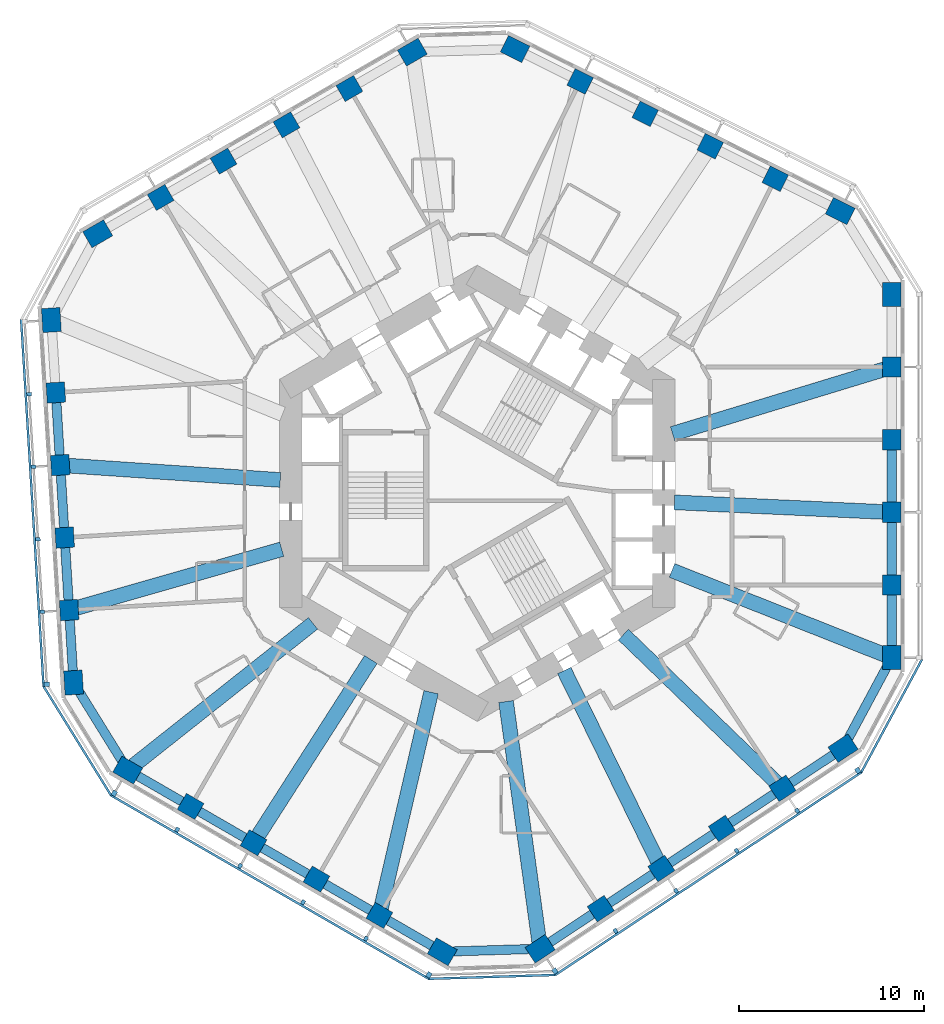
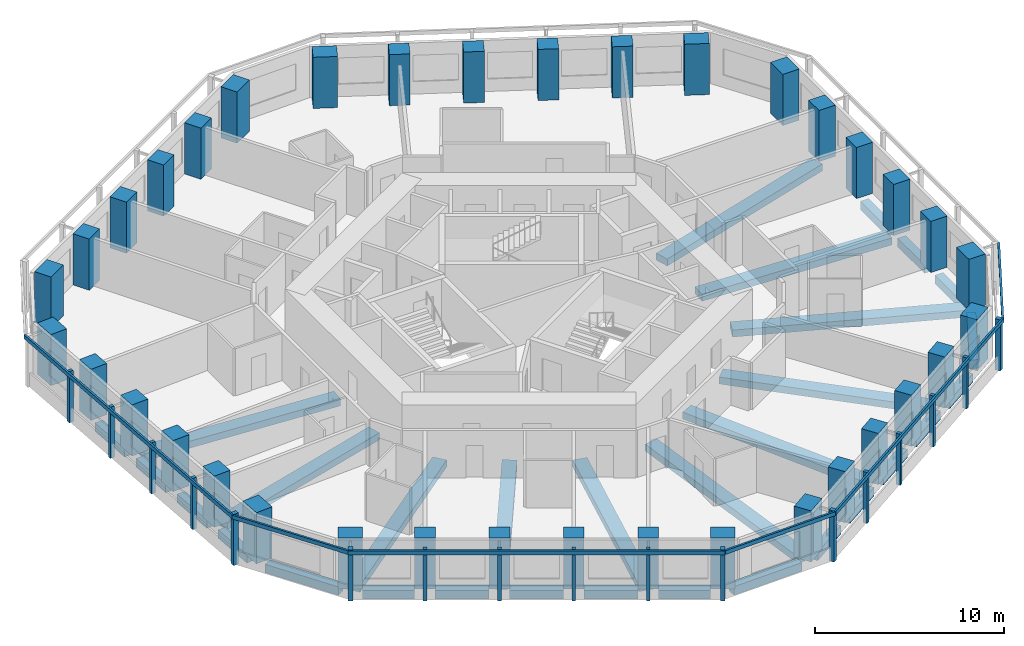
# One storey, part 1 of 11: 36 columns, 31 beams, 23 members, 6 elements without a shape of their own.
"""IFC4 building model written with IfcOpenShell, lengths in metres."""

from ifc_helpers import new_model, si_unit, direction, frame, origin, origin_2d, place, context, subcontext, project, spatial, rectangle, extrude, material, material_profile, profile_set, type_object, element, aggregate, save


model = new_model("IFC4")

# Units and contexts
model_context = context("Model", 3, precision=1e-05, world=origin(), true_north=direction((0.0, 1.0)))
body_context = subcontext(model_context, "Body", "Model", "MODEL_VIEW")
ifc_project = project(units=[si_unit("LENGTHUNIT", "METRE"), si_unit("AREAUNIT", "SQUARE_METRE"), si_unit("VOLUMEUNIT", "CUBIC_METRE"), si_unit("PLANEANGLEUNIT", "RADIAN"), si_unit("MASSUNIT", "GRAM", prefix="KILO")], contexts=[model_context])

# Site, building, storey
site_placement = place(None, origin())
site = spatial("IfcSite", under=ifc_project, at=site_placement, CompositionType="ELEMENT")
building_placement = place(site_placement, origin())
building = spatial("IfcBuilding", under=site, at=building_placement, Name="Vanh Sen Convention Tower", CompositionType="ELEMENT")
storey_placement = place(building_placement, frame((0.0, 0.0, 96.800048828125)))
storey = spatial("IfcBuildingStorey", under=building, at=storey_placement, Name="L22", CompositionType="ELEMENT", Elevation=96.800048828125)

# Columns
ifc_material_1 = material(Name="Concrete C80/95", Category="concrete")
ifc_material_profile_1 = material_profile(ifc_material_1, rectangle(XDim=1.10009765625, YDim=1.0, at=origin_2d()), Name="RC 1100X1000")
ifc_profile_set_1 = profile_set([ifc_material_profile_1], Name="Concrete C80/95")
column_type_1 = type_object("IfcColumnType", Name="Facade column 1100 x 1000 C80/95", PredefinedType="COLUMN", material=ifc_profile_set_1)
for number, where, z_axis, x_axis, name in (
    (1, (22.449951171875, -4.964599609375, 0.0), (0.0, 0.0, 1.0), (0.0, 1.0, 0.0), "Facade column 02 L22"),
    (2, (22.449951171875, -1.030029296875, 0.0), (0.0, 0.0, 1.0), (0.0, 1.0, 0.0), "Facade column 03 L22"),
    (3, (22.449951171875, 2.904541015625, 0.0), (0.0, 0.0, 1.0), (0.0, 1.0, 0.0), "Facade column 04 L22"),
    (4, (22.449951171875, 6.839111328125, 0.0), (0.0, 0.0, 1.0), (0.0, 1.0, 0.0), "Facade column 05 L22"),
    (5, (16.1376953125, 17.039794921875, 0.0), (0.0, 0.0, 1.0), (-0.894934361602, 0.44619781311, 0.0), "Facade column 08 L22"),
    (6, (12.616455078125, 18.79541015625, 0.0), (0.0, 0.0, 1.0), (-0.894934361602, 0.44619781311, 0.0), "Facade column 09 L22"),
    (7, (9.09521484375, 20.55078125, 0.0), (0.0, 0.0, 1.0), (-0.894934361602, 0.44619781311, 0.0), "Facade column 10 L22"),
    (8, (5.57421875, 22.306396484375, 0.0), (0.0, 0.0, 1.0), (-0.894934361602, 0.44619781311, 0.0), "Facade column 11 L22"),
    (9, (-6.925537109375, 21.924560546875, 0.0), (0.0, 0.0, 1.0), (-0.866025403784, -0.5, 0.0), "Facade column 14 L22"),
    (10, (-10.3330078125, 19.957275390625, 0.0), (0.0, 0.0, 1.0), (-0.866025403784, -0.5, 0.0), "Facade column 15 L22"),
    (11, (-13.740478515625, 17.989990234375, 0.0), (0.0, 0.0, 1.0), (-0.866025403784, -0.5, 0.0), "Facade column 16 L22"),
    (12, (-17.14794921875, 16.022705078125, 0.0), (0.0, 0.0, 1.0), (-0.866025403784, -0.5, 0.0), "Facade column 17 L22"),
    (13, (-22.82568359375, 5.455810546875, 0.0), (0.0, 0.0, 1.0), (0.061048539535, -0.998134798422, 0.0), "Facade column 20 L22"),
    (14, (-22.58544921875, 1.528564453125, 0.0), (0.0, 0.0, 1.0), (0.061048539535, -0.998134798422, 0.0), "Facade column 21 L22"),
    (15, (-22.34521484375, -2.398681640625, 0.0), (0.0, 0.0, 1.0), (0.061048539535, -0.998134798422, 0.0), "Facade column 22 L22"),
    (16, (-22.10498046875, -6.325927734375, 0.0), (0.0, 0.0, 1.0), (0.061048539535, -0.998134798422, 0.0), "Facade column 23 L22"),
    (17, (-15.5244140625, -16.9599609375, 0.0), (0.0, 0.0, 1.0), (0.866025403784, -0.5, 0.0), "Facade column 26 L22"),
    (18, (-12.1171875, -18.92724609375, 0.0), (0.0, 0.0, 1.0), (0.866025403784, -0.5, 0.0), "Facade column 27 L22"),
    (19, (-8.709716796875, -20.89453125, 0.0), (0.0, 0.0, 1.0), (0.866025403784, -0.5, 0.0), "Facade column 28 L22"),
    (20, (-5.302001953125, -22.86181640625, 0.0), (0.0, 0.0, 1.0), (0.866025403784, -0.5, 0.0), "Facade column 29 L22"),
    (21, (6.68798828125, -22.49560546875, 0.0), (0.0, 0.0, 1.0), (0.833885822067, 0.551936985312, 0.0), "Facade column 32 L22"),
    (22, (9.968994140625, -20.323974609375, 0.0), (0.0, 0.0, 1.0), (0.833885822067, 0.551936985312, 0.0), "Facade column 33 L22"),
    (23, (13.25, -18.152099609375, 0.0), (0.0, 0.0, 1.0), (0.833885822067, 0.551936985312, 0.0), "Facade column 34 L22"),
    (24, (16.531005859375, -15.980712890625, 0.0), (0.0, 0.0, 1.0), (0.833885822067, 0.551936985312, 0.0), "Facade column 35 L22"),
):
    element("IfcColumn", number, at=place(storey_placement, frame(where, z_axis=z_axis, x_axis=x_axis)), inside=storey, type_object=column_type_1, Name=name, PredefinedType="COLUMN", context=body_context, shape_type="SweptSolid", body=[
        extrude(rectangle(XDim=1.10009765625, YDim=1.0, at=origin_2d()), origin(), (0.0, 0.0, 1.0), 3.300048828125),
    ])
ifc_material_profile_2 = material_profile(ifc_material_1, rectangle(XDim=1.300048828125, YDim=1.0, at=origin_2d()), Name="RC 1300X1000")
ifc_profile_set_2 = profile_set([ifc_material_profile_2], Name="Concrete C80/95")
column_type_2 = type_object("IfcColumnType", Name="Facade corner column 1300 x 1000 C80/95", PredefinedType="COLUMN", material=ifc_profile_set_2)
for number, where, z_axis, x_axis, name in (
    (25, (22.449951171875, -8.899169921875, 0.0), (0.0, 0.0, 1.0), (0.0, 1.0, 0.0), "Facade column 01 L22"),
    (26, (22.449951171875, 10.773681640625, 0.0), (0.0, 0.0, 1.0), (0.0, 1.0, 0.0), "Facade column 06 L22"),
    (27, (19.658935546875, 15.2841796875, 0.0), (0.0, 0.0, 1.0), (-0.894934361602, 0.44619781311, 0.0), "Facade column 07 L22"),
    (28, (2.052978515625, 24.06201171875, 0.0), (0.0, 0.0, 1.0), (-0.894934361602, 0.44619781311, 0.0), "Facade column 12 L22"),
    (29, (-3.51806640625, 23.891845703125, 0.0), (0.0, 0.0, 1.0), (-0.866025403784, -0.5, 0.0), "Facade column 13 L22"),
    (30, (-20.555419921875, 14.055419921875, 0.0), (0.0, 0.0, 1.0), (-0.866025403784, -0.5, 0.0), "Facade column 18 L22"),
    (31, (-23.06591796875, 9.383056640625, 0.0), (0.0, 0.0, 1.0), (0.061048539535, -0.998134798422, 0.0), "Facade column 19 L22"),
    (32, (-21.86474609375, -10.253173828125, 0.0), (0.0, 0.0, 1.0), (0.061048539535, -0.998134798422, 0.0), "Facade column 24 L22"),
    (33, (-18.931884765625, -14.99267578125, 0.0), (0.0, 0.0, 1.0), (0.866025403784, -0.5, 0.0), "Facade column 25 L22"),
    (34, (-1.894775390625, -24.8291015625, 0.0), (0.0, 0.0, 1.0), (0.866025403784, -0.5, 0.0), "Facade column 30 L22"),
    (35, (3.406982421875, -24.6669921875, 0.0), (0.0, 0.0, 1.0), (0.833885822067, 0.551936985312, 0.0), "Facade column 31 L22"),
    (36, (19.81201171875, -13.808837890625, 0.0), (0.0, 0.0, 1.0), (0.833885822067, 0.551936985312, 0.0), "Facade column 36 L22"),
):
    element("IfcColumn", number, at=place(storey_placement, frame(where, z_axis=z_axis, x_axis=x_axis)), inside=storey, type_object=column_type_2, Name=name, PredefinedType="COLUMN", context=body_context, shape_type="SweptSolid", body=[
        extrude(rectangle(XDim=1.300048828125, YDim=1.0, at=origin_2d()), origin(), (0.0, 0.0, 1.0), 3.300048828125),
    ])

# Curtain wall, member
ifc_material_2 = material(Name="Concrete C50/60", Category="concrete")
curtain_wall_type = type_object("IfcCurtainWallType", Name="Outer skin hotel zone", PredefinedType="NOTDEFINED", material=ifc_material_2)
curtain_wall_1_placement = place(storey_placement, origin())
curtain_wall_1 = element("IfcCurtainWall", 37, at=curtain_wall_1_placement, inside=storey, type_object=curtain_wall_type, Name="OUTER SKIN W L22", PredefinedType="NOTDEFINED")
ifc_material_profile_3 = material_profile(ifc_material_2, rectangle(XDim=0.25, YDim=0.300048828125, at=origin_2d()), Name="Outer skin precast corner fin 250 x 300")
ifc_profile_set_3 = profile_set([ifc_material_profile_3], Name="Concrete C50/60")
member_type_1 = type_object("IfcMemberType", Name="Outer skin precast corner fin 250 x 300", PredefinedType="MULLION", material=ifc_profile_set_3)
member_1_placement = place(storey_placement, frame((-23.31201171875, -10.341796875, 0.0), z_axis=(0.0, 0.0, 1.0), x_axis=(0.061048539535, -0.998134798422, 0.0)))
member_1 = element("IfcMember", 38, at=member_1_placement, type_object=member_type_1, Name="OUTER SKIN CORNER FIN 6 W L22", PredefinedType="MULLION", context=body_context, shape_type="SweptSolid", body=[
    extrude(rectangle(XDim=0.25, YDim=0.300048828125, at=origin_2d()), origin(), (0.0, 0.0, 1.0), 3.300048828125),
])

# Curtain wall, members
curtain_wall_2_placement = place(storey_placement, origin())
curtain_wall_2 = element("IfcCurtainWall", 39, at=curtain_wall_2_placement, inside=storey, type_object=curtain_wall_type, Name="OUTER SKIN SW L22", PredefinedType="NOTDEFINED")
member_2_placement = place(storey_placement, frame((-19.656982421875, -16.248291015625, 0.0), z_axis=(0.0, 0.0, 1.0), x_axis=(0.866025403784, -0.5, 0.0)))
member_2 = element("IfcMember", 40, at=member_2_placement, type_object=member_type_1, Name="OUTER SKIN CORNER FIN 1 SW L22", PredefinedType="MULLION", context=body_context, shape_type="SweptSolid", body=[
    extrude(rectangle(XDim=0.25, YDim=0.300048828125, at=origin_2d()), origin(), (0.0, 0.0, 1.0), 3.300048828125),
])
member_3_placement = place(storey_placement, frame((-2.61962890625, -26.084716796875, 0.0), z_axis=(0.0, 0.0, 1.0), x_axis=(0.866025403784, -0.5, 0.0)))
member_3 = element("IfcMember", 41, at=member_3_placement, type_object=member_type_1, Name="OUTER SKIN CORNER FIN 6 SW L22", PredefinedType="MULLION", context=body_context, shape_type="SweptSolid", body=[
    extrude(rectangle(XDim=0.25, YDim=0.300048828125, at=origin_2d()), origin(), (0.0, 0.0, 1.0), 3.300048828125),
])

curtain_wall_3_placement = place(storey_placement, origin())
curtain_wall_3 = element("IfcCurtainWall", 42, at=curtain_wall_3_placement, inside=storey, type_object=curtain_wall_type, Name="OUTER SKIN SE L22", PredefinedType="NOTDEFINED")
member_4_placement = place(storey_placement, frame((4.207275390625, -25.876220703125, 0.0), z_axis=(0.0, 0.0, 1.0), x_axis=(0.833885822067, 0.551936985312, 0.0)))
member_4 = element("IfcMember", 43, at=member_4_placement, type_object=member_type_1, Name="OUTER SKIN CORNER FIN 1 SE L22", PredefinedType="MULLION", context=body_context, shape_type="SweptSolid", body=[
    extrude(rectangle(XDim=0.25, YDim=0.300048828125, at=origin_2d()), origin(), (0.0, 0.0, 1.0), 3.300048828125),
])
member_5_placement = place(storey_placement, frame((20.6123046875, -15.01806640625, 0.0), z_axis=(0.0, 0.0, 1.0), x_axis=(0.833885822067, 0.551936985312, 0.0)))
member_5 = element("IfcMember", 44, at=member_5_placement, type_object=member_type_1, Name="OUTER SKIN CORNER FIN 6 SE L22", PredefinedType="MULLION", context=body_context, shape_type="SweptSolid", body=[
    extrude(rectangle(XDim=0.25, YDim=0.300048828125, at=origin_2d()), origin(), (0.0, 0.0, 1.0), 3.300048828125),
])

# Member
ifc_material_profile_4 = material_profile(ifc_material_2, rectangle(XDim=0.199951171875, YDim=0.25, at=origin_2d()), Name="Outer skin precast fin 200 x 250")
ifc_profile_set_4 = profile_set([ifc_material_profile_4], Name="Concrete C50/60")
member_type_2 = type_object("IfcMemberType", Name="Outer skin precast fin 200 x 250", PredefinedType="MULLION", material=ifc_profile_set_4)
member_6_placement = place(storey_placement, frame((-24.27294921875, 5.3671875, 0.0), z_axis=(0.0, 0.0, 1.0), x_axis=(0.061048539535, -0.998134798422, 0.0)))
member_6 = element("IfcMember", 45, at=member_6_placement, type_object=member_type_2, Name="OUTER SKIN fin 2 W L22", PredefinedType="MULLION", context=body_context, shape_type="SweptSolid", body=[
    extrude(rectangle(XDim=0.199951171875, YDim=0.25, at=origin_2d()), origin(), (0.0, 0.0, 1.0), 3.300048828125),
])

member_7_placement = place(storey_placement, frame((-24.03271484375, 1.440185546875, 0.0), z_axis=(0.0, 0.0, 1.0), x_axis=(0.061048539535, -0.998134798422, 0.0)))
member_7 = element("IfcMember", 46, at=member_7_placement, type_object=member_type_2, Name="OUTER SKIN fin 3 W L22", PredefinedType="MULLION", context=body_context, shape_type="SweptSolid", body=[
    extrude(rectangle(XDim=0.199951171875, YDim=0.25, at=origin_2d()), origin(), (0.0, 0.0, 1.0), 3.300048828125),
])

member_8_placement = place(storey_placement, frame((-23.79248046875, -2.4873046875, 0.0), z_axis=(0.0, 0.0, 1.0), x_axis=(0.061048539535, -0.998134798422, 0.0)))
member_8 = element("IfcMember", 47, at=member_8_placement, type_object=member_type_2, Name="OUTER SKIN fin 4 W L22", PredefinedType="MULLION", context=body_context, shape_type="SweptSolid", body=[
    extrude(rectangle(XDim=0.199951171875, YDim=0.25, at=origin_2d()), origin(), (0.0, 0.0, 1.0), 3.300048828125),
])

member_9_placement = place(storey_placement, frame((-23.55224609375, -6.414306640625, 0.0), z_axis=(0.0, 0.0, 1.0), x_axis=(0.061048539535, -0.998134798422, 0.0)))
member_9 = element("IfcMember", 48, at=member_9_placement, type_object=member_type_2, Name="OUTER SKIN fin 5 W L22", PredefinedType="MULLION", context=body_context, shape_type="SweptSolid", body=[
    extrude(rectangle(XDim=0.199951171875, YDim=0.25, at=origin_2d()), origin(), (0.0, 0.0, 1.0), 3.300048828125),
])

member_10_placement = place(storey_placement, frame((-16.24951171875, -18.2158203125, 0.0), z_axis=(0.0, 0.0, 1.0), x_axis=(0.866025403784, -0.5, 0.0)))
member_10 = element("IfcMember", 49, at=member_10_placement, type_object=member_type_2, Name="OUTER SKIN fin 2 SW L22", PredefinedType="MULLION", context=body_context, shape_type="SweptSolid", body=[
    extrude(rectangle(XDim=0.199951171875, YDim=0.25, at=origin_2d()), origin(), (0.0, 0.0, 1.0), 3.300048828125),
])

member_11_placement = place(storey_placement, frame((-12.842041015625, -20.182861328125, 0.0), z_axis=(0.0, 0.0, 1.0), x_axis=(0.866025403784, -0.5, 0.0)))
member_11 = element("IfcMember", 50, at=member_11_placement, type_object=member_type_2, Name="OUTER SKIN fin 3 SW L22", PredefinedType="MULLION", context=body_context, shape_type="SweptSolid", body=[
    extrude(rectangle(XDim=0.199951171875, YDim=0.25, at=origin_2d()), origin(), (0.0, 0.0, 1.0), 3.300048828125),
])

member_12_placement = place(storey_placement, frame((-9.4345703125, -22.150146484375, 0.0), z_axis=(0.0, 0.0, 1.0), x_axis=(0.866025403784, -0.5, 0.0)))
member_12 = element("IfcMember", 51, at=member_12_placement, type_object=member_type_2, Name="OUTER SKIN fin 4 SW L22", PredefinedType="MULLION", context=body_context, shape_type="SweptSolid", body=[
    extrude(rectangle(XDim=0.199951171875, YDim=0.25, at=origin_2d()), origin(), (0.0, 0.0, 1.0), 3.300048828125),
])

member_13_placement = place(storey_placement, frame((-6.027099609375, -24.117431640625, 0.0), z_axis=(0.0, 0.0, 1.0), x_axis=(0.866025403784, -0.5, 0.0)))
member_13 = element("IfcMember", 52, at=member_13_placement, type_object=member_type_2, Name="OUTER SKIN fin 5 SW L22", PredefinedType="MULLION", context=body_context, shape_type="SweptSolid", body=[
    extrude(rectangle(XDim=0.199951171875, YDim=0.25, at=origin_2d()), origin(), (0.0, 0.0, 1.0), 3.300048828125),
])

member_14_placement = place(storey_placement, frame((7.48828125, -23.70458984375, 0.0), z_axis=(0.0, 0.0, 1.0), x_axis=(0.833885822067, 0.551936985312, 0.0)))
member_14 = element("IfcMember", 53, at=member_14_placement, type_object=member_type_2, Name="OUTER SKIN fin 2 SE L22", PredefinedType="MULLION", context=body_context, shape_type="SweptSolid", body=[
    extrude(rectangle(XDim=0.199951171875, YDim=0.25, at=origin_2d()), origin(), (0.0, 0.0, 1.0), 3.300048828125),
])

member_15_placement = place(storey_placement, frame((10.769287109375, -21.532958984375, 0.0), z_axis=(0.0, 0.0, 1.0), x_axis=(0.833885822067, 0.551936985312, 0.0)))
member_15 = element("IfcMember", 54, at=member_15_placement, type_object=member_type_2, Name="OUTER SKIN fin 3 SE L22", PredefinedType="MULLION", context=body_context, shape_type="SweptSolid", body=[
    extrude(rectangle(XDim=0.199951171875, YDim=0.25, at=origin_2d()), origin(), (0.0, 0.0, 1.0), 3.300048828125),
])

member_16_placement = place(storey_placement, frame((14.05029296875, -19.361328125, 0.0), z_axis=(0.0, 0.0, 1.0), x_axis=(0.833885822067, 0.551936985312, 0.0)))
member_16 = element("IfcMember", 55, at=member_16_placement, type_object=member_type_2, Name="OUTER SKIN fin 4 SE L22", PredefinedType="MULLION", context=body_context, shape_type="SweptSolid", body=[
    extrude(rectangle(XDim=0.199951171875, YDim=0.25, at=origin_2d()), origin(), (0.0, 0.0, 1.0), 3.300048828125),
])

member_17_placement = place(storey_placement, frame((17.331298828125, -17.189697265625, 0.0), z_axis=(0.0, 0.0, 1.0), x_axis=(0.833885822067, 0.551936985312, 0.0)))
member_17 = element("IfcMember", 56, at=member_17_placement, type_object=member_type_2, Name="OUTER SKIN fin 5 SE L22", PredefinedType="MULLION", context=body_context, shape_type="SweptSolid", body=[
    extrude(rectangle(XDim=0.199951171875, YDim=0.25, at=origin_2d()), origin(), (0.0, 0.0, 1.0), 3.300048828125),
])

ifc_material_profile_5 = material_profile(ifc_material_2, rectangle(XDim=0.1201171875, YDim=0.25, at=origin_2d()), Name="Outer skin precast spandrel band 250 x 120")
ifc_profile_set_5 = profile_set([ifc_material_profile_5], Name="Concrete C50/60")
member_type_3 = type_object("IfcMemberType", Name="Outer skin precast spandrel band 250 x 120", PredefinedType="USERDEFINED", material=ifc_profile_set_5)
member_18_placement = place(storey_placement, frame((-24.705322265625, 9.408203125, 3.175048828125), z_axis=(0.061050017989, -0.998134707995, 0.0), x_axis=(0.998134707995, 0.061050017989, 0.0)))
member_18 = element("IfcMember", 57, at=member_18_placement, type_object=member_type_3, Name="OUTER SKIN spandrel band W L22", ObjectType="TRANSOM", PredefinedType="USERDEFINED", context=body_context, shape_type="SweptSolid", body=[
    extrude(rectangle(XDim=0.1201171875, YDim=0.25, at=origin_2d()), origin(), (0.0, 0.0, 1.0), 19.923095703125),
])

aggregate(curtain_wall_1, [member_6, member_7, member_8, member_9, member_1, member_18])

# Curtain wall, member
curtain_wall_4_placement = place(storey_placement, origin())
curtain_wall_4 = element("IfcCurtainWall", 58, at=curtain_wall_4_placement, inside=storey, type_object=curtain_wall_type, Name="OUTER SKIN CH4 L22", PredefinedType="NOTDEFINED")
member_19_placement = place(storey_placement, frame((-23.49072265625, -10.4521484375, 3.175048828125), z_axis=(0.526196095141, -0.850363257354, 0.0), x_axis=(0.850363257354, 0.526196095141, 0.0)))
member_19 = element("IfcMember", 59, at=member_19_placement, type_object=member_type_3, Name="OUTER SKIN spandrel band CH4 L22", ObjectType="TRANSOM", PredefinedType="USERDEFINED", context=body_context, shape_type="SweptSolid", body=[
    extrude(rectangle(XDim=0.1201171875, YDim=0.25, at=origin_2d()), origin(), (0.0, 0.0, 1.0), 6.946044921875),
])
aggregate(curtain_wall_4, [member_19])

# Member
member_20_placement = place(storey_placement, frame((-19.85791015625, -16.34619140625, 3.175048828125), z_axis=(0.866028047459, -0.499995420993, 0.0), x_axis=(0.499995420993, 0.866028047459, 0.0)))
member_20 = element("IfcMember", 60, at=member_20_placement, type_object=member_type_3, Name="OUTER SKIN spandrel band SW L22", ObjectType="TRANSOM", PredefinedType="USERDEFINED", context=body_context, shape_type="SweptSolid", body=[
    extrude(rectangle(XDim=0.1201171875, YDim=0.25, at=origin_2d()), origin(), (0.0, 0.0, 1.0), 19.923095703125),
])

aggregate(curtain_wall_2, [member_2, member_10, member_11, member_12, member_13, member_3, member_20])

# Curtain wall, member
curtain_wall_5_placement = place(storey_placement, origin())
curtain_wall_5 = element("IfcCurtainWall", 61, at=curtain_wall_5_placement, inside=storey, type_object=curtain_wall_type, Name="OUTER SKIN CH5 L22", PredefinedType="NOTDEFINED")
member_21_placement = place(storey_placement, frame((-2.61328125, -26.294677734375, 3.175048828125), z_axis=(0.99953396928, 0.030526124156, 0.0), x_axis=(-0.030526124156, 0.99953396928, 0.0)))
member_21 = element("IfcMember", 62, at=member_21_placement, type_object=member_type_3, Name="OUTER SKIN spandrel band CH5 L22", ObjectType="TRANSOM", PredefinedType="USERDEFINED", context=body_context, shape_type="SweptSolid", body=[
    extrude(rectangle(XDim=0.1201171875, YDim=0.25, at=origin_2d()), origin(), (0.0, 0.0, 1.0), 6.830078125),
])
aggregate(curtain_wall_5, [member_21])

# Member
member_22_placement = place(storey_placement, frame((4.205078125, -26.099609375, 3.175048828125), z_axis=(0.833883851182, 0.551939962984, 0.0), x_axis=(-0.551939962984, 0.833883851182, 0.0)))
member_22 = element("IfcMember", 63, at=member_22_placement, type_object=member_type_3, Name="OUTER SKIN spandrel band SE L22", ObjectType="TRANSOM", PredefinedType="USERDEFINED", context=body_context, shape_type="SweptSolid", body=[
    extrude(rectangle(XDim=0.1201171875, YDim=0.25, at=origin_2d()), origin(), (0.0, 0.0, 1.0), 19.923095703125),
])

aggregate(curtain_wall_3, [member_4, member_14, member_15, member_16, member_17, member_5, member_22])

# Curtain wall, member
curtain_wall_6_placement = place(storey_placement, origin())
curtain_wall_6 = element("IfcCurtainWall", 64, at=curtain_wall_6_placement, inside=storey, type_object=curtain_wall_type, Name="OUTER SKIN CH6 L22", PredefinedType="NOTDEFINED")
member_23_placement = place(storey_placement, frame((20.797119140625, -15.117431640625, 3.175048828125), z_axis=(0.473324148816, 0.880888330123, 0.0), x_axis=(-0.880888330123, 0.473324148816, 0.0)))
member_23 = element("IfcMember", 65, at=member_23_placement, type_object=member_type_3, Name="OUTER SKIN spandrel band CH6 L22", ObjectType="TRANSOM", PredefinedType="USERDEFINED", context=body_context, shape_type="SweptSolid", body=[
    extrude(rectangle(XDim=0.1201171875, YDim=0.25, at=origin_2d()), origin(), (0.0, 0.0, 1.0), 6.9462890625),
])
aggregate(curtain_wall_6, [member_23])

# Beams
ifc_material_3 = material(Name="Concrete C50/60", Category="concrete")
ifc_material_profile_6 = material_profile(ifc_material_3, rectangle(XDim=0.800048828125, YDim=0.449951171875, at=origin_2d()), Name="RC 800X450")
ifc_profile_set_6 = profile_set([ifc_material_profile_6], Name="Concrete C50/60")
beam_type_1 = type_object("IfcBeamType", Name="Radial floor beam 800 x 450", PredefinedType="BEAM", material=ifc_profile_set_6)
beam_1_placement = place(storey_placement, frame((22.10205078125, -8.76123046875, -0.47509765625), z_axis=(-0.929623737454, 0.368510117584, 0.0), x_axis=(-0.368510117584, -0.929623737454, 0.0)))
element("IfcBeam", 66, at=beam_1_placement, inside=storey, type_object=beam_type_1, Name="Radial beam 01 L22", PredefinedType="BEAM", context=body_context, shape_type="SweptSolid", body=[
    extrude(rectangle(XDim=0.800048828125, YDim=0.449951171875, at=origin_2d()), origin(), (0.0, 0.0, 1.0), 12.4287109375),
])
beam_2_placement = place(storey_placement, frame((21.973388671875, -1.00830078125, -0.47509765625), z_axis=(-0.998949085964, 0.045833651953, 0.0), x_axis=(-0.045833651953, -0.998949085964, 0.0)))
element("IfcBeam", 67, at=beam_2_placement, inside=storey, type_object=beam_type_1, Name="Radial beam 02 L22", PredefinedType="BEAM", context=body_context, shape_type="SweptSolid", body=[
    extrude(rectangle(XDim=0.800048828125, YDim=0.449951171875, at=origin_2d()), origin(), (0.0, 0.0, 1.0), 11.30859375),
])
beam_3_placement = place(storey_placement, frame((22.0712890625, 6.7236328125, -0.47509765625), z_axis=(-0.956599525752, -0.29140581211, 0.0), x_axis=(0.29140581211, -0.956599525752, 0.0)))
element("IfcBeam", 68, at=beam_3_placement, inside=storey, type_object=beam_type_1, Name="Radial beam 03 L22", PredefinedType="BEAM", context=body_context, shape_type="SweptSolid", body=[
    extrude(rectangle(XDim=0.800048828125, YDim=0.449951171875, at=origin_2d()), origin(), (0.0, 0.0, 1.0), 12.01416015625),
])
beam_4_placement = place(storey_placement, frame((-22.138916015625, 1.498291015625, -0.47509765625), z_axis=(0.997717468066, -0.0675266904, 0.0), x_axis=(0.0675266904, 0.997717468066, 0.0)))
element("IfcBeam", 69, at=beam_4_placement, inside=storey, type_object=beam_type_1, Name="Radial beam 11 L22", PredefinedType="BEAM", context=body_context, shape_type="SweptSolid", body=[
    extrude(rectangle(XDim=0.800048828125, YDim=0.449951171875, at=origin_2d()), origin(), (0.0, 0.0, 1.0), 11.4970703125),
])
beam_5_placement = place(storey_placement, frame((-21.70263671875, -6.210693359375, -0.47509765625), z_axis=(0.96140993594, 0.275119855837, 0.0), x_axis=(-0.275119855837, 0.96140993594, 0.0)))
element("IfcBeam", 70, at=beam_5_placement, inside=storey, type_object=beam_type_1, Name="Radial beam 12 L22", PredefinedType="BEAM", context=body_context, shape_type="SweptSolid", body=[
    extrude(rectangle(XDim=0.800048828125, YDim=0.449951171875, at=origin_2d()), origin(), (0.0, 0.0, 1.0), 11.563720703125),
])
beam_6_placement = place(storey_placement, frame((-18.638671875, -14.76025390625, -0.47509765625), z_axis=(0.78395420425, 0.620818657612, 0.0), x_axis=(-0.620818657612, 0.78395420425, 0.0)))
element("IfcBeam", 71, at=beam_6_placement, inside=storey, type_object=beam_type_1, Name="Radial beam 13 L22", PredefinedType="BEAM", context=body_context, shape_type="SweptSolid", body=[
    extrude(rectangle(XDim=0.800048828125, YDim=0.449951171875, at=origin_2d()), origin(), (0.0, 0.0, 1.0), 12.428955078125),
])
beam_7_placement = place(storey_placement, frame((-11.85986328125, -18.525390625, -0.47509765625), z_axis=(0.539160288654, 0.842203172126, 0.0), x_axis=(-0.842203172126, 0.539160288654, 0.0)))
element("IfcBeam", 72, at=beam_7_placement, inside=storey, type_object=beam_type_1, Name="Radial beam 14 L22", PredefinedType="BEAM", context=body_context, shape_type="SweptSolid", body=[
    extrude(rectangle(XDim=0.800048828125, YDim=0.449951171875, at=origin_2d()), origin(), (0.0, 0.0, 1.0), 11.30859375),
])
beam_8_placement = place(storey_placement, frame((-5.212646484375, -22.476318359375, -0.47509765625), z_axis=(0.225927931957, 0.974144018902, 0.0), x_axis=(-0.974144018902, 0.225927931957, 0.0)))
element("IfcBeam", 73, at=beam_8_placement, inside=storey, type_object=beam_type_1, Name="Radial beam 15 L22", PredefinedType="BEAM", context=body_context, shape_type="SweptSolid", body=[
    extrude(rectangle(XDim=0.800048828125, YDim=0.449951171875, at=origin_2d()), origin(), (0.0, 0.0, 1.0), 12.01416015625),
])
beam_9_placement = place(storey_placement, frame((3.35791015625, -24.312744140625, -0.47509765625), z_axis=(-0.136801873088, 0.990598428991, 0.0), x_axis=(-0.990598428991, -0.136801873088, 0.0)))
element("IfcBeam", 74, at=beam_9_placement, inside=storey, type_object=beam_type_1, Name="Radial beam 16 L22", PredefinedType="BEAM", context=body_context, shape_type="SweptSolid", body=[
    extrude(rectangle(XDim=0.800048828125, YDim=0.449951171875, at=origin_2d()), origin(), (0.0, 0.0, 1.0), 13.159912109375),
])
beam_10_placement = place(storey_placement, frame((9.77197265625, -19.922119140625, -0.47509765625), z_axis=(-0.440388501121, 0.89780731122, 0.0), x_axis=(-0.89780731122, -0.440388501121, 0.0)))
element("IfcBeam", 75, at=beam_10_placement, inside=storey, type_object=beam_type_1, Name="Radial beam 17 L22", PredefinedType="BEAM", context=body_context, shape_type="SweptSolid", body=[
    extrude(rectangle(XDim=0.800048828125, YDim=0.449951171875, at=origin_2d()), origin(), (0.0, 0.0, 1.0), 11.497314453125),
])
beam_11_placement = place(storey_placement, frame((16.22998046875, -15.689697265625, -0.47509765625), z_axis=(-0.718965868582, 0.695045379679, 0.0), x_axis=(-0.695045379679, -0.718965868582, 0.0)))
element("IfcBeam", 76, at=beam_11_placement, inside=storey, type_object=beam_type_1, Name="Radial beam 18 L22", PredefinedType="BEAM", context=body_context, shape_type="SweptSolid", body=[
    extrude(rectangle(XDim=0.800048828125, YDim=0.449951171875, at=origin_2d()), origin(), (0.0, 0.0, 1.0), 11.563720703125),
])
ifc_material_profile_7 = material_profile(ifc_material_3, rectangle(XDim=0.5, YDim=0.550048828125, at=origin_2d()), Name="RC 500X550")
ifc_profile_set_7 = profile_set([ifc_material_profile_7], Name="Concrete C50/60")
beam_type_2 = type_object("IfcBeamType", Name="Spandrel beam 500 x 550", PredefinedType="SPANDREL", material=ifc_profile_set_7)
beam_12_placement = place(storey_placement, frame((22.449951171875, -8.254150390625, -0.525146484375), z_axis=(0.0, 1.0, 0.0), x_axis=(-1.0, 0.0, 0.0)))
element("IfcBeam", 77, at=beam_12_placement, inside=storey, type_object=beam_type_2, Name="Spandrel beam 01 L22", PredefinedType="SPANDREL", context=body_context, shape_type="SweptSolid", body=[
    extrude(rectangle(XDim=0.5, YDim=0.550048828125, at=origin_2d()), origin(), (0.0, 0.0, 1.0), 2.74462890625),
])
beam_13_placement = place(storey_placement, frame((22.449951171875, -4.419677734375, -0.525146484375), z_axis=(0.0, 1.0, 0.0), x_axis=(-1.0, 0.0, 0.0)))
element("IfcBeam", 78, at=beam_13_placement, inside=storey, type_object=beam_type_2, Name="Spandrel beam 02 L22", PredefinedType="SPANDREL", context=body_context, shape_type="SweptSolid", body=[
    extrude(rectangle(XDim=0.5, YDim=0.550048828125, at=origin_2d()), origin(), (0.0, 0.0, 1.0), 2.844482421875),
])
for number, where, z_axis, x_axis, name in (
    (79, (22.449951171875, -0.485107421875, -0.525146484375), (0.0, 1.0, 0.0), (-1.0, 0.0, 0.0), "Spandrel beam 03 L22"),
    (80, (-22.792236328125, 4.911865234375, -0.525146484375), (0.061021069303, -0.998136478194, 0.0), (0.998136478194, 0.061021069303, 0.0), "Spandrel beam 20 L22"),
    (81, (-22.552001953125, 0.984619140625, -0.525146484375), (0.061021069303, -0.998136478194, 0.0), (0.998136478194, 0.061021069303, 0.0), "Spandrel beam 21 L22"),
    (82, (-22.31201171875, -2.942626953125, -0.525146484375), (0.061106573347, -0.998131247228, 0.0), (0.998131247228, 0.061106573347, 0.0), "Spandrel beam 22 L22"),
):
    element("IfcBeam", number, at=place(storey_placement, frame(where, z_axis=z_axis, x_axis=x_axis)), inside=storey, type_object=beam_type_2, Name=name, PredefinedType="SPANDREL", context=body_context, shape_type="SweptSolid", body=[
        extrude(rectangle(XDim=0.5, YDim=0.550048828125, at=origin_2d()), origin(), (0.0, 0.0, 1.0), 2.8447265625),
    ])
beam_14_placement = place(storey_placement, frame((-22.07177734375, -6.869873046875, -0.525146484375), z_axis=(0.061021442686, -0.998136455367, 0.0), x_axis=(0.998136455367, 0.061021442686, 0.0)))
element("IfcBeam", 83, at=beam_14_placement, inside=storey, type_object=beam_type_2, Name="Spandrel beam 23 L22", PredefinedType="SPANDREL", context=body_context, shape_type="SweptSolid", body=[
    extrude(rectangle(XDim=0.5, YDim=0.550048828125, at=origin_2d()), origin(), (0.0, 0.0, 1.0), 2.74462890625),
])
beam_15_placement = place(storey_placement, frame((-21.556396484375, -10.75146484375, -0.525146484375), z_axis=(0.526169375405, -0.850379790674, 0.0), x_axis=(0.850379790674, 0.526169375405, 0.0)))
element("IfcBeam", 84, at=beam_15_placement, inside=storey, type_object=beam_type_2, Name="Spandrel beam 24 L22", PredefinedType="SPANDREL", context=body_context, shape_type="SweptSolid", body=[
    extrude(rectangle(XDim=0.5, YDim=0.550048828125, at=origin_2d()), origin(), (0.0, 0.0, 1.0), 4.4013671875),
])
beam_16_placement = place(storey_placement, frame((-18.373291015625, -15.315185546875, -0.525146484375), z_axis=(0.866006330792, -0.500033033937, 0.0), x_axis=(0.500033033937, 0.866006330792, 0.0)))
element("IfcBeam", 85, at=beam_16_placement, inside=storey, type_object=beam_type_2, Name="Spandrel beam 25 L22", PredefinedType="SPANDREL", context=body_context, shape_type="SweptSolid", body=[
    extrude(rectangle(XDim=0.5, YDim=0.550048828125, at=origin_2d()), origin(), (0.0, 0.0, 1.0), 2.744384765625),
])
for number, where, z_axis, x_axis, name in (
    (86, (-15.052490234375, -17.232421875, -0.525146484375), (0.866005490874, -0.500034488586, 0.0), (0.500034488586, 0.866005490874, 0.0), "Spandrel beam 26 L22"),
    (87, (-11.64501953125, -19.19970703125, -0.525146484375), (0.866005490874, -0.500034488586, 0.0), (0.500034488586, 0.866005490874, 0.0), "Spandrel beam 27 L22"),
    (88, (-8.237548828125, -21.1669921875, -0.525146484375), (0.866005490874, -0.500034488586, 0.0), (0.500034488586, 0.866005490874, 0.0), "Spandrel beam 28 L22"),
):
    element("IfcBeam", number, at=place(storey_placement, frame(where, z_axis=z_axis, x_axis=x_axis)), inside=storey, type_object=beam_type_2, Name=name, PredefinedType="SPANDREL", context=body_context, shape_type="SweptSolid", body=[
        extrude(rectangle(XDim=0.5, YDim=0.550048828125, at=origin_2d()), origin(), (0.0, 0.0, 1.0), 2.844482421875),
    ])
beam_17_placement = place(storey_placement, frame((-4.830078125, -23.13427734375, -0.525146484375), z_axis=(0.866006330792, -0.500033033937, 0.0), x_axis=(0.500033033937, 0.866006330792, 0.0)))
element("IfcBeam", 89, at=beam_17_placement, inside=storey, type_object=beam_type_2, Name="Spandrel beam 29 L22", PredefinedType="SPANDREL", context=body_context, shape_type="SweptSolid", body=[
    extrude(rectangle(XDim=0.5, YDim=0.550048828125, at=origin_2d()), origin(), (0.0, 0.0, 1.0), 2.744384765625),
])
beam_18_placement = place(storey_placement, frame((-1.353759765625, -24.8125, -0.525146484375), z_axis=(0.999533721385, 0.030534240042, 0.0), x_axis=(-0.030534240042, 0.999533721385, 0.0)))
element("IfcBeam", 90, at=beam_18_placement, inside=storey, type_object=beam_type_2, Name="Spandrel beam 30 L22", PredefinedType="SPANDREL", context=body_context, shape_type="SweptSolid", body=[
    extrude(rectangle(XDim=0.5, YDim=0.550048828125, at=origin_2d()), origin(), (0.0, 0.0, 1.0), 4.2216796875),
])
beam_19_placement = place(storey_placement, frame((3.94482421875, -24.31103515625, -0.525146484375), z_axis=(0.833906917805, 0.551905111805, 0.0), x_axis=(-0.551905111805, 0.833906917805, 0.0)))
element("IfcBeam", 91, at=beam_19_placement, inside=storey, type_object=beam_type_2, Name="Spandrel beam 31 L22", PredefinedType="SPANDREL", context=body_context, shape_type="SweptSolid", body=[
    extrude(rectangle(XDim=0.5, YDim=0.550048828125, at=origin_2d()), origin(), (0.0, 0.0, 1.0), 2.744384765625),
])
beam_20_placement = place(storey_placement, frame((7.142333984375, -22.194580078125, -0.525146484375), z_axis=(0.833920587756, 0.551884456491, 0.0), x_axis=(-0.551884456491, 0.833920587756, 0.0)))
element("IfcBeam", 92, at=beam_20_placement, inside=storey, type_object=beam_type_2, Name="Spandrel beam 32 L22", PredefinedType="SPANDREL", context=body_context, shape_type="SweptSolid", body=[
    extrude(rectangle(XDim=0.5, YDim=0.550048828125, at=origin_2d()), origin(), (0.0, 0.0, 1.0), 2.844482421875),
])
beam_21_placement = place(storey_placement, frame((10.42333984375, -20.023193359375, -0.525146484375), z_axis=(0.833841584342, 0.552003815406, 0.0), x_axis=(-0.552003815406, 0.833841584342, 0.0)))
element("IfcBeam", 93, at=beam_21_placement, inside=storey, type_object=beam_type_2, Name="Spandrel beam 33 L22", PredefinedType="SPANDREL", context=body_context, shape_type="SweptSolid", body=[
    extrude(rectangle(XDim=0.5, YDim=0.550048828125, at=origin_2d()), origin(), (0.0, 0.0, 1.0), 2.8447265625),
])
beam_22_placement = place(storey_placement, frame((13.704345703125, -17.851318359375, -0.525146484375), z_axis=(0.833920587756, 0.551884456491, 0.0), x_axis=(-0.551884456491, 0.833920587756, 0.0)))
element("IfcBeam", 94, at=beam_22_placement, inside=storey, type_object=beam_type_2, Name="Spandrel beam 34 L22", PredefinedType="SPANDREL", context=body_context, shape_type="SweptSolid", body=[
    extrude(rectangle(XDim=0.5, YDim=0.550048828125, at=origin_2d()), origin(), (0.0, 0.0, 1.0), 2.844482421875),
])
beam_23_placement = place(storey_placement, frame((16.9853515625, -15.6796875, -0.525146484375), z_axis=(0.833865974996, 0.551966969794, 0.0), x_axis=(-0.551966969794, 0.833865974996, 0.0)))
element("IfcBeam", 95, at=beam_23_placement, inside=storey, type_object=beam_type_2, Name="Spandrel beam 35 L22", PredefinedType="SPANDREL", context=body_context, shape_type="SweptSolid", body=[
    extrude(rectangle(XDim=0.5, YDim=0.550048828125, at=origin_2d()), origin(), (0.0, 0.0, 1.0), 2.74462890625),
])
beam_24_placement = place(storey_placement, frame((20.08935546875, -13.29248046875, -0.525146484375), z_axis=(0.473335516366, 0.880882221949, 0.0), x_axis=(-0.880882221949, 0.473335516366, 0.0)))
element("IfcBeam", 96, at=beam_24_placement, inside=storey, type_object=beam_type_2, Name="Spandrel beam 36 L22", PredefinedType="SPANDREL", context=body_context, shape_type="SweptSolid", body=[
    extrude(rectangle(XDim=0.5, YDim=0.550048828125, at=origin_2d()), origin(), (0.0, 0.0, 1.0), 4.401123046875),
])

save(model, "model.ifc")
